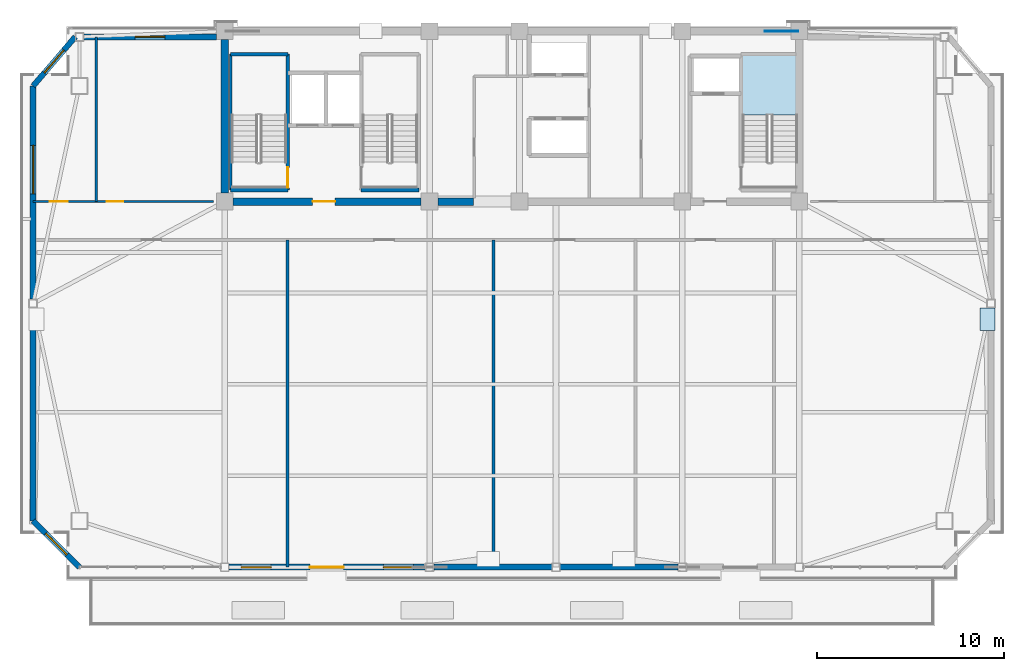
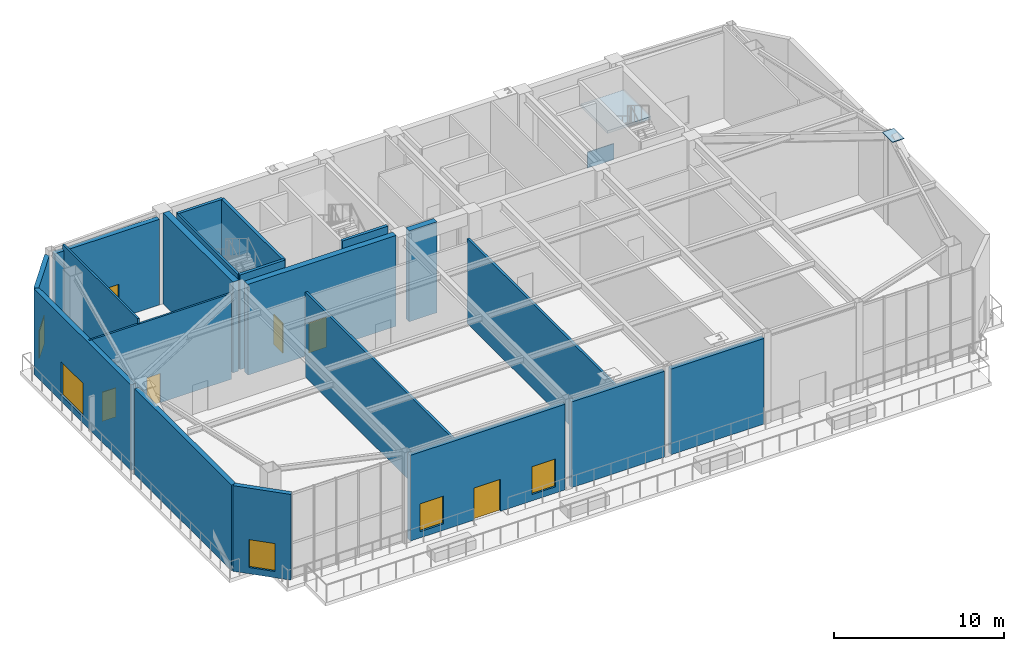
# One storey, part 8 of 15: 20 walls, 6 windows, 5 doors, 2 plates, 1 slab, 11 openings, 1 element without a shape of its own.
"""IFC4 building model written with IfcOpenShell, lengths in metres."""

import ifcopenshell
import ifcopenshell.guid

model = None  # the IFC model being written
_history = None  # IfcOwnerHistory: only IFC2X3 demands one
_inside = {}  # id of a spatial element -> (the spatial element, [elements in it])
_under = {}  # id of a project, library or spatial element -> (it, [spatial elements below it])
_declared = {}  # id of a project -> (the project, [libraries it declares])
_typed = {}  # id of a type object -> (the type object, [elements of that type])
_made_of = {}  # id of a material, layer set ... -> (it, [elements and type objects made of it])


def new_model(schema):
    """Start an empty IFC model of exactly this schema.

    Asked for "IFC4X3", IfcOpenShell would pick the latest addendum, in which some entities
    have other attributes; the version numbers below select the first issue.
    IFC2X3 requires an IfcOwnerHistory on every rooted entity: one is made here for all.
    """
    global model, _history
    if schema == "IFC4X3":
        model = ifcopenshell.file(schema_version=(4, 3, 0, 0))
    else:
        model = ifcopenshell.file(schema=schema)
    _inside.clear()
    _under.clear()
    _declared.clear()
    _typed.clear()
    _made_of.clear()
    _history = None
    if model.schema == "IFC2X3":
        org = make("IfcOrganization", Name="unknown")
        user = make(
            "IfcPersonAndOrganization",
            ThePerson=make("IfcPerson", FamilyName="unknown"),
            TheOrganization=org,
        )
        app = make(
            "IfcApplication",
            ApplicationDeveloper=org,
            Version="unknown",
            ApplicationFullName="unknown",
            ApplicationIdentifier="unknown",
        )
        _history = make(
            "IfcOwnerHistory",
            OwningUser=user,
            OwningApplication=app,
            ChangeAction="ADDED",
            CreationDate=0,
        )
    return model


def make(cls, **values):
    """One entity of the class cls with the attributes given. An attribute that is None is left unset."""
    return model.create_entity(
        cls, **{name: value for name, value in values.items() if value is not None}
    )


def rooted(cls, **values):
    """An entity with a GlobalId (a new one), such as an element, a storey or a relation."""
    return make(cls, GlobalId=ifcopenshell.guid.new(), OwnerHistory=_history, **values)


def si_unit(unit_type, name, prefix=None):
    """IfcSIUnit, for example si_unit("LENGTHUNIT", "METRE", prefix="MILLI")."""
    return make("IfcSIUnit", UnitType=unit_type, Prefix=prefix, Name=name)


def assignment(units):
    """IfcUnitAssignment: the units of a project."""
    return None if units is None else make("IfcUnitAssignment", Units=units)


def point(xyz):
    """IfcCartesianPoint."""
    return None if xyz is None else make("IfcCartesianPoint", Coordinates=xyz)


def direction(xyz):
    """IfcDirection."""
    return None if xyz is None else make("IfcDirection", DirectionRatios=xyz)


def frame(location, z_axis=None, x_axis=None):
    """IfcAxis2Placement3D, a coordinate frame: its origin and axes. An axis left out is left unset."""
    return make(
        "IfcAxis2Placement3D",
        Location=point(location),
        Axis=direction(z_axis),
        RefDirection=direction(x_axis),
    )


def frame_2d(location, x_axis=None):
    """IfcAxis2Placement2D, a coordinate frame in the plane: its origin and x axis."""
    return make(
        "IfcAxis2Placement2D", Location=point(location), RefDirection=direction(x_axis)
    )


def origin():
    """The frame at (0, 0, 0) with its axes left unset."""
    return frame((0.0, 0.0, 0.0))


def origin_2d():
    """The frame at (0, 0) in the plane with its x axis left unset."""
    return frame_2d((0.0, 0.0))


def place(relative_to, where):
    """IfcLocalPlacement: puts the frame where relative to a parent placement (None: the world)."""
    return make(
        "IfcLocalPlacement", PlacementRelTo=relative_to, RelativePlacement=where
    )


def context(
    kind, dimensions, precision=None, world=None, true_north=None, identifier=None
):
    """IfcGeometricRepresentationContext, for example the 3D "Model" context."""
    return make(
        "IfcGeometricRepresentationContext",
        ContextIdentifier=identifier,
        ContextType=kind,
        CoordinateSpaceDimension=dimensions,
        Precision=precision,
        WorldCoordinateSystem=world,
        TrueNorth=true_north,
    )


def subcontext(parent, identifier, kind, view, scale=None):
    """IfcGeometricRepresentationSubContext, for example "Body" below "Model"."""
    return make(
        "IfcGeometricRepresentationSubContext",
        ContextIdentifier=identifier,
        ContextType=kind,
        ParentContext=parent,
        TargetScale=scale,
        TargetView=view,
    )


def project(units=None, contexts=None):
    """IfcProject with its units and contexts."""
    return rooted(
        "IfcProject",
        Name="project",
        RepresentationContexts=contexts,
        UnitsInContext=assignment(units),
    )


def spatial(cls, under=None, at=None, **own):
    """A site, building, storey or space (cls), placed at a placement, below another one or the project."""
    s = rooted(cls, ObjectPlacement=at, **own)
    if under is not None:
        _under.setdefault(under.id(), (under, []))[1].append(s)
    return s


def polyline(points):
    """IfcPolyline through the points."""
    return make("IfcPolyline", Points=[point(p) for p in points])


def profile(cls, at=None, kind="AREA", **sizes):
    """A parametric profile (cls). Its sizes go by their IFC names, for example OverallWidth=200.0."""
    return make(cls, ProfileType=kind, Position=at, **sizes)


def rectangle(**sizes):
    """IfcRectangleProfileDef."""
    return profile("IfcRectangleProfileDef", **sizes)


def outline(outer, holes=None, kind="AREA"):
    """IfcArbitraryClosedProfileDef: a profile drawn as a closed curve; with holes, ...WithVoids."""
    if holes is None:
        return make("IfcArbitraryClosedProfileDef", ProfileType=kind, OuterCurve=outer)
    return make(
        "IfcArbitraryProfileDefWithVoids",
        ProfileType=kind,
        OuterCurve=outer,
        InnerCurves=holes,
    )


def extrude(swept, where, along, depth):
    """IfcExtrudedAreaSolid: the profile swept, set in the frame where, extruded along a direction by depth."""
    return make(
        "IfcExtrudedAreaSolid",
        SweptArea=swept,
        Position=where,
        ExtrudedDirection=direction(along),
        Depth=depth,
    )


def shape(context_of_items, identifier, shape_type, items):
    """IfcShapeRepresentation: the items that make up one representation, for example the "Body"."""
    return make(
        "IfcShapeRepresentation",
        ContextOfItems=context_of_items,
        RepresentationIdentifier=identifier,
        RepresentationType=shape_type,
        Items=items,
    )


def source(mapping_origin, context_of_items, identifier, shape_type, items):
    """IfcRepresentationMap: a shape defined once, which mapped items show again and again."""
    return make(
        "IfcRepresentationMap",
        MappingOrigin=mapping_origin,
        MappedRepresentation=shape(context_of_items, identifier, shape_type, items),
    )


def transform(
    local_origin,
    x_axis=None,
    y_axis=None,
    z_axis=None,
    scale=None,
    scale2=None,
    scale3=None,
    uniform=True,
):
    """IfcCartesianTransformationOperator3D, or its non-uniform kind. x_axis, y_axis, z_axis: its Axis1, 2, 3."""
    if uniform:
        return make(
            "IfcCartesianTransformationOperator3D",
            Axis1=direction(x_axis),
            Axis2=direction(y_axis),
            LocalOrigin=point(local_origin),
            Scale=scale,
            Axis3=direction(z_axis),
        )
    return make(
        "IfcCartesianTransformationOperator3DnonUniform",
        Axis1=direction(x_axis),
        Axis2=direction(y_axis),
        LocalOrigin=point(local_origin),
        Scale=scale,
        Axis3=direction(z_axis),
        Scale2=scale2,
        Scale3=scale3,
    )


def mapped(mapping_source, mapping_target):
    """IfcMappedItem: shows the shape of a source again, moved by a transform."""
    return make(
        "IfcMappedItem", MappingSource=mapping_source, MappingTarget=mapping_target
    )


def material(Name=None, Category=None):
    """IfcMaterial."""
    return make("IfcMaterial", Name=Name, Category=Category)


def layer(
    of_material, thickness, ventilated=None, Name=None, Category=None, Priority=None
):
    """IfcMaterialLayer: one layer of a wall or slab, of a material (None: an air gap)."""
    return make(
        "IfcMaterialLayer",
        Material=of_material,
        LayerThickness=thickness,
        IsVentilated=ventilated,
        Name=Name,
        Category=Category,
        Priority=Priority,
    )


def layer_set(layers, Name=None):
    """IfcMaterialLayerSet."""
    return make("IfcMaterialLayerSet", MaterialLayers=layers, LayerSetName=Name)


def made_of(thing, what):
    """Note that an element or type object is made of a material, layer set ...; save() writes the relation."""
    if what is not None:
        _made_of.setdefault(what.id(), (what, []))[1].append(thing)
    return thing


def type_object(cls, material=None, **own):
    """A type object (cls), such as IfcWallType, which elements share."""
    return made_of(rooted(cls, **own), material)


def element(
    cls,
    number,
    at=None,
    inside=None,
    cuts=None,
    type_object=None,
    material=None,
    context=None,
    identifier="Body",
    shape_type=None,
    held_by="IfcProductDefinitionShape",
    body=None,
    shapes=None,
    **own,
):
    """One element of the class cls, such as IfcWall. Its Tag is "e" and its number.

    at: its placement. inside: the storey or other place that contains it. cuts: it is an
    opening in that element (IfcRelVoidsElement). A single representation is given by context,
    identifier, shape_type and body (its items); several are given by shapes. held_by: the class
    of the entity that holds the representations. save() writes the other relations.
    """
    e = rooted(cls, Tag="e%d" % number, ObjectPlacement=at, **own)
    if body is not None:
        shapes = [shape(context, identifier, shape_type, body)]
    if shapes is not None:
        e.Representation = make(held_by, Representations=shapes)
    if inside is not None:
        _inside.setdefault(inside.id(), (inside, []))[1].append(e)
    if cuts is not None:
        rooted(
            "IfcRelVoidsElement", RelatingBuildingElement=cuts, RelatedOpeningElement=e
        )
    if type_object is not None:
        _typed.setdefault(type_object.id(), (type_object, []))[1].append(e)
    return made_of(e, material)


def fill(opening, filler):
    """IfcRelFillsElement: the door or window that sits in an opening."""
    return rooted(
        "IfcRelFillsElement",
        RelatingOpeningElement=opening,
        RelatedBuildingElement=filler,
    )


def aggregate(whole, parts):
    """IfcRelAggregates: a whole, such as a stair, and the parts it consists of."""
    return rooted("IfcRelAggregates", RelatingObject=whole, RelatedObjects=parts)


def save(model, path):
    """Write the relations noted so far, then the file.

    IfcRelAggregates (storeys below a building ...), IfcRelContainedInSpatialStructure (elements
    in a storey), IfcRelDefinesByType, IfcRelAssociatesMaterial and IfcRelDeclares: one each for
    every whole, place, type object, material and project.
    """
    for whole, parts in _under.values():
        aggregate(whole, parts)
    for where, things in _inside.values():
        rooted(
            "IfcRelContainedInSpatialStructure",
            RelatedElements=things,
            RelatingStructure=where,
        )
    for kind, things in _typed.values():
        rooted("IfcRelDefinesByType", RelatedObjects=things, RelatingType=kind)
    for what, things in _made_of.values():
        rooted("IfcRelAssociatesMaterial", RelatedObjects=things, RelatingMaterial=what)
    for by, libraries in _declared.values():
        rooted("IfcRelDeclares", RelatingContext=by, RelatedDefinitions=libraries)
    model.write(path)


model = new_model("IFC4")

# Units and contexts
model_context = context("Model", 3, precision=1e-05, world=origin(), true_north=direction((0.0, 1.0)))
body_context = subcontext(model_context, "Body", "Model", "MODEL_VIEW")
ifc_project = project(units=[si_unit("LENGTHUNIT", "METRE"), si_unit("AREAUNIT", "SQUARE_METRE"), si_unit("VOLUMEUNIT", "CUBIC_METRE"), si_unit("PLANEANGLEUNIT", "RADIAN"), si_unit("MASSUNIT", "GRAM", prefix="KILO")], contexts=[model_context])

# Site, building, storey
site_placement = place(None, origin())
site = spatial("IfcSite", under=ifc_project, at=site_placement, CompositionType="ELEMENT")
building_placement = place(site_placement, origin())
building = spatial("IfcBuilding", under=site, at=building_placement, Name="Giltprow Tower", CompositionType="ELEMENT")
storey_placement = place(building_placement, frame((0.0, 0.0, 279.10009765625)))
storey = spatial("IfcBuildingStorey", under=building, at=storey_placement, Name="L72", CompositionType="ELEMENT", Elevation=279.10009765625)

# Stair, slab
ifc_material_1 = material(Name="Concrete C40", Category="concrete")
stair_type = type_object("IfcStairType", Name="STR-ST-3", PredefinedType="HALF_TURN_STAIR", material=ifc_material_1)
stair_placement = place(storey_placement, origin())
stair = element("IfcStair", 1, at=stair_placement, inside=storey, type_object=stair_type, Name="L72 Core Exit Stair ST-3", PredefinedType="HALF_TURN_STAIR")
ifc_layer_1 = layer(ifc_material_1, 0.196044921875, Name="Concrete C40")
ifc_layer_set_1 = layer_set([ifc_layer_1], Name="Concrete C40")
slab_type = type_object("IfcSlabType", Name="SLD-ST-3", PredefinedType="LANDING", material=ifc_layer_set_1)
slab_placement = place(storey_placement, frame((0.0, 0.0, 4.90380859375)))
slab = element("IfcSlab", 2, at=slab_placement, type_object=slab_type, Name="ST-3 landing 3", PredefinedType="LANDING", context=body_context, shape_type="SweptSolid", body=[
    extrude(outline(polyline([(50.4599609375, 42.070068359375), (50.4599609375, 45.25), (47.5, 45.25), (47.5, 42.070068359375), (50.4599609375, 42.070068359375)])), origin(), (0.0, 0.0, 1.0), 0.196044921875),
])
aggregate(stair, [slab])

# Plates
ifc_material_2 = material(Name="Structural steel Q420GJC", Category="steel")
plate_type_1 = type_object("IfcPlateType", Name="PLT-NODE-MBN1", PredefinedType="USERDEFINED", material=ifc_material_2)
shared_shape_1 = source(origin(), body_context, "Body", "SweptSolid", [
    extrude(rectangle(XDim=1.800048828125, YDim=0.050048828125, at=origin_2d()), origin(), (0.0, 0.0, 1.0), 1.14990234375),
])
plate_1_placement = place(storey_placement, frame((49.60009765625, 46.550048828125, -0.715087890625), z_axis=(0.0, 0.0, 1.0), x_axis=(1.0, 0.0, 0.0)))
element("IfcPlate", 3, at=plate_1_placement, inside=storey, type_object=plate_type_1, Name="Mega-Brace Node L72-N-RA", ObjectType="GUSSET", PredefinedType="USERDEFINED", context=body_context, shape_type="MappedRepresentation", body=[
    mapped(shared_shape_1, transform((0.0, 0.0, 0.0), x_axis=(1.0, 0.0, 0.0), y_axis=(0.0, 1.0, 0.0), z_axis=(0.0, 0.0, 1.0), scale=1.0)),
])
plate_type_2 = type_object("IfcPlateType", Name="PLT-CAP-SEAL", PredefinedType="USERDEFINED", material=ifc_material_2)
shared_shape_2 = source(origin(), body_context, "Body", "SweptSolid", [
    extrude(rectangle(XDim=1.199951171875, YDim=0.800048828125, at=origin_2d()), origin(), (0.0, 0.0, 1.0), 0.034912109375),
])
plate_2_placement = place(storey_placement, frame((60.59912109375, 31.156005859375, 6.7822265625), z_axis=(0.0, 0.0, 1.0), x_axis=(0.0, 1.0, 0.0)))
element("IfcPlate", 4, at=plate_2_placement, inside=storey, type_object=plate_type_2, Name="Mega-Brace Node L72-E-DB", ObjectType="SPLICE", PredefinedType="USERDEFINED", context=body_context, shape_type="MappedRepresentation", body=[
    mapped(shared_shape_2, transform((0.0, 0.0, 0.0), x_axis=(1.0, 0.0, 0.0), y_axis=(0.0, 1.0, 0.0), z_axis=(0.0, 0.0, 1.0), scale=1.0)),
])

# Wall, opening, window
ifc_material_3 = material(Name="Precast concrete C40", Category="concrete")
ifc_layer_2 = layer(ifc_material_3, 0.300048828125, Name="Precast concrete C40")
ifc_layer_set_2 = layer_set([ifc_layer_2], Name="Precast concrete C40")
wall_type_1 = type_object("IfcWallType", Name="EW-NOTCH-CHAMFER-300", PredefinedType="SOLIDWALL", material=ifc_layer_set_2)
wall_1_placement = place(storey_placement, frame((9.60888671875, 20.385009765625, 0.0), z_axis=(0.0, 0.0, 1.0), x_axis=(0.707106781187, -0.707106781187, 0.0)))
wall_1 = element("IfcWall", 5, at=wall_1_placement, inside=storey, type_object=wall_type_1, Name="L72 Corner Notch Wall SW", PredefinedType="SOLIDWALL", context=body_context, shape_type="SweptSolid", body=[
    extrude(rectangle(XDim=3.503173828125, YDim=0.300048828125, at=frame_2d((1.75146484375, 0.0))), origin(), (0.0, 0.0, 1.0), 6.14990234375),
])
opening_1_placement = place(wall_1_placement, frame((0.951904296875, 0.0, 0.449951171875)))
opening_1 = element("IfcOpeningElement", 6, at=opening_1_placement, cuts=wall_1, Name="Opening WN17", PredefinedType="OPENING", context=body_context, shape_type="SweptSolid", body=[
    extrude(rectangle(XDim=1.60009765625, YDim=2.0, at=frame_2d((0.800048828125, 1.0))), frame((0.0, 0.159912109375, 0.0), z_axis=(0.0, -1.0, 0.0), x_axis=(1.0, 0.0, 0.0)), (0.0, 0.0, 1.0), 0.320068359375),
])
ifc_material_4 = material(Name="Insulated glass", Category="glass")
window_type_1 = type_object("IfcWindowType", Name="WN-COR-1600x2000", PartitioningType="SINGLE_PANEL", PredefinedType="WINDOW", material=ifc_material_4)
shared_shape_3 = source(origin(), body_context, "Body", "SweptSolid", [
    extrude(rectangle(XDim=1.60009765625, YDim=2.0, at=frame_2d((0.800048828125, 1.0))), frame((0.0, 0.030029296875, 0.0), z_axis=(0.0, -1.0, 0.0), x_axis=(1.0, 0.0, 0.0)), (0.0, 0.0, 1.0), 0.06005859375),
])
window_1_placement = place(opening_1_placement, origin())
window_1 = element("IfcWindow", 7, at=window_1_placement, inside=storey, type_object=window_type_1, Name="L72 Corner Notch Window SW", OverallHeight=2.0, OverallWidth=1.60009765625, PartitioningType="SINGLE_PANEL", PredefinedType="WINDOW", context=body_context, shape_type="MappedRepresentation", body=[
    mapped(shared_shape_3, transform((0.0, 0.0, 0.0), x_axis=(1.0, 0.0, 0.0), y_axis=(0.0, 1.0, 0.0), z_axis=(0.0, 0.0, 1.0), scale=1.0)),
])
fill(opening_1, window_1)

wall_2_placement = place(storey_placement, frame((11.861083984375, 46.25, 0.0), z_axis=(0.0, 0.0, 1.0), x_axis=(-0.650739088715, -0.759301414735, 0.0)))
wall_2 = element("IfcWall", 8, at=wall_2_placement, inside=storey, type_object=wall_type_1, Name="L72 Corner Notch Wall NW", PredefinedType="SOLIDWALL", context=body_context, shape_type="SweptSolid", body=[
    extrude(rectangle(XDim=3.4609375, YDim=0.300048828125, at=frame_2d((1.73046875, 0.0))), origin(), (0.0, 0.0, 1.0), 6.14990234375),
])
opening_2_placement = place(wall_2_placement, frame((0.929931640625, 0.0, 0.449951171875)))
opening_2 = element("IfcOpeningElement", 9, at=opening_2_placement, cuts=wall_2, Name="Opening WN17", PredefinedType="OPENING", context=body_context, shape_type="SweptSolid", body=[
    extrude(rectangle(XDim=1.60009765625, YDim=2.0, at=frame_2d((0.800048828125, 1.0))), frame((0.0, 0.159912109375, 0.0), z_axis=(0.0, -1.0, 0.0), x_axis=(1.0, 0.0, 0.0)), (0.0, 0.0, 1.0), 0.320068359375),
])
window_2_placement = place(opening_2_placement, origin())
window_2 = element("IfcWindow", 10, at=window_2_placement, inside=storey, type_object=window_type_1, Name="L72 Corner Notch Window NW", OverallHeight=2.0, OverallWidth=1.60009765625, PartitioningType="SINGLE_PANEL", PredefinedType="WINDOW", context=body_context, shape_type="MappedRepresentation", body=[
    mapped(shared_shape_3, transform((0.0, 0.0, 0.0), x_axis=(1.0, 0.0, 0.0), y_axis=(0.0, 1.0, 0.0), z_axis=(0.0, 0.0, 1.0), scale=1.0)),
])
fill(opening_2, window_2)

# Wall, openings, door, windows
ifc_layer_3 = layer(ifc_material_3, 0.320068359375, Name="Precast concrete C40")
ifc_layer_set_3 = layer_set([ifc_layer_3], Name="Precast concrete C40")
wall_type_2 = type_object("IfcWallType", Name="EW-TOW-STONE-320", PredefinedType="SOLIDWALL", material=ifc_layer_set_3)
wall_3_placement = place(storey_placement, frame((20.074951171875, 17.907958984375, 0.0), z_axis=(0.0, 0.0, 1.0), x_axis=(1.0, 0.0, 0.0)))
wall_3 = element("IfcWall", 11, at=wall_3_placement, inside=storey, type_object=wall_type_2, Name="L72 South Expressed Frame Wall 2", PredefinedType="SOLIDWALL", context=body_context, shape_type="SweptSolid", body=[
    extrude(rectangle(XDim=10.5, YDim=0.320068359375, at=frame_2d((5.25, 0.0))), origin(), (0.0, 0.0, 1.0), 6.14990234375),
])
opening_3_placement = place(wall_3_placement, frame((4.324951171875, 0.0, 0.0)))
opening_3 = element("IfcOpeningElement", 12, at=opening_3_placement, cuts=wall_3, Name="Opening ED15", PredefinedType="OPENING", context=body_context, shape_type="SweptSolid", body=[
    extrude(rectangle(XDim=1.800048828125, YDim=2.300048828125, at=frame_2d((0.89990234375, 1.14990234375))), frame((0.0, 0.169921875, 0.0), z_axis=(0.0, -1.0, 0.0), x_axis=(1.0, 0.0, 0.0)), (0.0, 0.0, 1.0), 0.340087890625),
])
opening_4_placement = place(wall_3_placement, frame((0.64990234375, 0.0, 0.449951171875)))
opening_4 = element("IfcOpeningElement", 13, at=opening_4_placement, cuts=wall_3, Name="Opening WN17", PredefinedType="OPENING", context=body_context, shape_type="SweptSolid", body=[
    extrude(rectangle(XDim=1.60009765625, YDim=2.0, at=frame_2d((0.800048828125, 1.0))), frame((0.0, 0.169921875, 0.0), z_axis=(0.0, -1.0, 0.0), x_axis=(1.0, 0.0, 0.0)), (0.0, 0.0, 1.0), 0.340087890625),
])
opening_5_placement = place(wall_3_placement, frame((8.25, 0.0, 0.449951171875)))
opening_5 = element("IfcOpeningElement", 14, at=opening_5_placement, cuts=wall_3, Name="Opening WN17", PredefinedType="OPENING", context=body_context, shape_type="SweptSolid", body=[
    extrude(rectangle(XDim=1.60009765625, YDim=2.0, at=frame_2d((0.800048828125, 1.0))), frame((0.0, 0.169921875, 0.0), z_axis=(0.0, -1.0, 0.0), x_axis=(1.0, 0.0, 0.0)), (0.0, 0.0, 1.0), 0.340087890625),
])
ifc_material_5 = material(Name="Anodized bronze and glass", Category="glass")
door_type_1 = type_object("IfcDoorType", Name="DR-TERR-SWING-1800", OperationType="DOUBLE_SWING_LEFT", PredefinedType="DOOR", material=ifc_material_5)
shared_shape_4 = source(origin(), body_context, "Body", "SweptSolid", [
    extrude(rectangle(XDim=1.800048828125, YDim=2.300048828125, at=frame_2d((0.89990234375, 1.14990234375))), frame((0.0, 0.02490234375, 0.0), z_axis=(0.0, -1.0, 0.0), x_axis=(1.0, 0.0, 0.0)), (0.0, 0.0, 1.0), 0.050048828125),
])
door_1_placement = place(opening_3_placement, origin())
door_1 = element("IfcDoor", 15, at=door_1_placement, inside=storey, type_object=door_type_1, Name="L72 Sky Garden Terrace Door 1", OperationType="DOUBLE_SWING_LEFT", OverallHeight=2.300048828125, OverallWidth=1.800048828125, PredefinedType="DOOR", context=body_context, shape_type="MappedRepresentation", body=[
    mapped(shared_shape_4, transform((0.0, 0.0, 0.0), x_axis=(1.0, 0.0, 0.0), y_axis=(0.0, 1.0, 0.0), z_axis=(0.0, 0.0, 1.0), scale=1.0)),
])
fill(opening_3, door_1)
window_3_placement = place(opening_4_placement, origin())
window_3 = element("IfcWindow", 16, at=window_3_placement, inside=storey, type_object=window_type_1, Name="L72 Sky Garden Window 1", OverallHeight=2.0, OverallWidth=1.60009765625, PartitioningType="SINGLE_PANEL", PredefinedType="WINDOW", context=body_context, shape_type="MappedRepresentation", body=[
    mapped(shared_shape_3, transform((0.0, 0.0, 0.0), x_axis=(1.0, 0.0, 0.0), y_axis=(0.0, 1.0, 0.0), z_axis=(0.0, 0.0, 1.0), scale=1.0)),
])
fill(opening_4, window_3)
window_4_placement = place(opening_5_placement, origin())
window_4 = element("IfcWindow", 17, at=window_4_placement, inside=storey, type_object=window_type_1, Name="L72 Sky Garden Window 2", OverallHeight=2.0, OverallWidth=1.60009765625, PartitioningType="SINGLE_PANEL", PredefinedType="WINDOW", context=body_context, shape_type="MappedRepresentation", body=[
    mapped(shared_shape_3, transform((0.0, 0.0, 0.0), x_axis=(1.0, 0.0, 0.0), y_axis=(0.0, 1.0, 0.0), z_axis=(0.0, 0.0, 1.0), scale=1.0)),
])
fill(opening_5, window_4)

# Walls
for number, where, z_axis, x_axis, name in (
    (18, (31.02490234375, 17.907958984375, 0.0), (0.0, 0.0, 1.0), (1.0, 0.0, 0.0), "L72 South Expressed Frame Wall 3"),
    (19, (37.77490234375, 17.907958984375, 0.0), (0.0, 0.0, 1.0), (1.0, 0.0, 0.0), "L72 South Expressed Frame Wall 4"),
):
    element("IfcWall", number, at=place(storey_placement, frame(where, z_axis=z_axis, x_axis=x_axis)), inside=storey, type_object=wall_type_2, Name=name, PredefinedType="SOLIDWALL", context=body_context, shape_type="SweptSolid", body=[
        extrude(rectangle(XDim=6.300048828125, YDim=0.320068359375, at=frame_2d((3.14990234375, 0.0))), origin(), (0.0, 0.0, 1.0), 6.14990234375),
    ])
wall_4_placement = place(storey_placement, frame((9.60888671875, 20.385009765625, 0.0), z_axis=(0.0, 0.0, 1.0), x_axis=(0.0, 1.0, 0.0)))
element("IfcWall", 20, at=wall_4_placement, inside=storey, type_object=wall_type_2, Name="L72 W Wing Masonry Wall 1", PredefinedType="SOLIDWALL", context=body_context, shape_type="SweptSolid", body=[
    extrude(rectangle(XDim=11.39404296875, YDim=0.320068359375, at=frame_2d((5.697021484375, 0.0))), origin(), (0.0, 0.0, 1.0), 6.14990234375),
])

# Wall, opening, window
wall_5_placement = place(storey_placement, frame((9.60888671875, 32.22900390625, 0.0), z_axis=(0.0, 0.0, 1.0), x_axis=(0.0, 1.0, 0.0)))
wall_5 = element("IfcWall", 21, at=wall_5_placement, inside=storey, type_object=wall_type_2, Name="L72 W Wing Masonry Wall 2", PredefinedType="SOLIDWALL", context=body_context, shape_type="SweptSolid", body=[
    extrude(rectangle(XDim=11.39306640625, YDim=0.320068359375, at=frame_2d((5.696533203125, 0.0))), origin(), (0.0, 0.0, 1.0), 6.14990234375),
])
opening_6_placement = place(wall_5_placement, frame((5.6259765625, 0.0, 0.449951171875)))
opening_6 = element("IfcOpeningElement", 22, at=opening_6_placement, cuts=wall_5, Name="Opening WN19", PredefinedType="OPENING", context=body_context, shape_type="SweptSolid", body=[
    extrude(rectangle(XDim=2.60009765625, YDim=2.39990234375, at=frame_2d((1.300048828125, 1.199951171875))), frame((0.0, 0.169921875, 0.0), z_axis=(0.0, -1.0, 0.0), x_axis=(1.0, 0.0, 0.0)), (0.0, 0.0, 1.0), 0.340087890625),
])
window_type_2 = type_object("IfcWindowType", Name="WN-OBS-2600x2400", PartitioningType="DOUBLE_PANEL_VERTICAL", PredefinedType="WINDOW", material=ifc_material_4)
shared_shape_5 = source(origin(), body_context, "Body", "SweptSolid", [
    extrude(rectangle(XDim=2.60009765625, YDim=2.39990234375, at=frame_2d((1.300048828125, 1.199951171875))), frame((0.0, 0.030029296875, 0.0), z_axis=(0.0, -1.0, 0.0), x_axis=(1.0, 0.0, 0.0)), (0.0, 0.0, 1.0), 0.06005859375),
])
window_5_placement = place(opening_6_placement, origin())
window_5 = element("IfcWindow", 23, at=window_5_placement, inside=storey, type_object=window_type_2, Name="L72 W Wing Window 2-1", OverallHeight=2.39990234375, OverallWidth=2.60009765625, PartitioningType="SINGLE_PANEL", PredefinedType="WINDOW", context=body_context, shape_type="MappedRepresentation", body=[
    mapped(shared_shape_5, transform((0.0, 0.0, 0.0), x_axis=(1.0, 0.0, 0.0), y_axis=(0.0, 1.0, 0.0), z_axis=(0.0, 0.0, 1.0), scale=1.0)),
])
fill(opening_6, window_5)

wall_6_placement = place(storey_placement, frame((12.31103515625, 46.25, 0.0), z_axis=(0.0, 0.0, 1.0), x_axis=(1.0, 0.0, 0.0)))
wall_6 = element("IfcWall", 24, at=wall_6_placement, inside=storey, type_object=wall_type_2, Name="L72 North-West Wing Wall", PredefinedType="SOLIDWALL", context=body_context, shape_type="SweptSolid", body=[
    extrude(rectangle(XDim=7.0888671875, YDim=0.320068359375, at=frame_2d((3.54443359375, 0.0))), origin(), (0.0, 0.0, 1.0), 6.14990234375),
])
opening_7_placement = place(wall_6_placement, frame((2.743896484375, 0.0, 0.449951171875)))
opening_7 = element("IfcOpeningElement", 25, at=opening_7_placement, cuts=wall_6, Name="Opening WN17", PredefinedType="OPENING", context=body_context, shape_type="SweptSolid", body=[
    extrude(rectangle(XDim=1.60009765625, YDim=2.0, at=frame_2d((0.800048828125, 1.0))), frame((0.0, 0.169921875, 0.0), z_axis=(0.0, -1.0, 0.0), x_axis=(1.0, 0.0, 0.0)), (0.0, 0.0, 1.0), 0.340087890625),
])
window_6_placement = place(opening_7_placement, origin())
window_6 = element("IfcWindow", 26, at=window_6_placement, inside=storey, type_object=window_type_1, Name="L72 North-West Window", OverallHeight=2.0, OverallWidth=1.60009765625, PartitioningType="SINGLE_PANEL", PredefinedType="WINDOW", context=body_context, shape_type="MappedRepresentation", body=[
    mapped(shared_shape_3, transform((0.0, 0.0, 0.0), x_axis=(1.0, 0.0, 0.0), y_axis=(0.0, 1.0, 0.0), z_axis=(0.0, 0.0, 1.0), scale=1.0)),
])
fill(opening_7, window_6)

# Walls
ifc_material_6 = material(Name="Gypsum stud partition", Category="gypsum")
ifc_layer_4 = layer(ifc_material_6, 0.159912109375, Name="Gypsum stud partition")
ifc_layer_set_4 = layer_set([ifc_layer_4], Name="Gypsum stud partition")
wall_type_3 = type_object("IfcWallType", Name="IW-DEMISE-160", PredefinedType="PARTITIONING", material=ifc_layer_set_4)
for number, where, z_axis, x_axis, name in (
    (27, (23.199951171875, 17.907958984375, 0.0), (0.0, 0.0, 1.0), (0.0, 1.0, 0.0), "L72 Sky Lobby Partition 1"),
    (28, (34.199951171875, 17.907958984375, 0.0), (0.0, 0.0, 1.0), (0.0, 1.0, 0.0), "L72 Sky Lobby Partition 2"),
):
    element("IfcWall", number, at=place(storey_placement, frame(where, z_axis=z_axis, x_axis=x_axis)), inside=storey, type_object=wall_type_3, Name=name, PredefinedType="PARTITIONING", context=body_context, shape_type="SweptSolid", body=[
        extrude(rectangle(XDim=17.491943359375, YDim=0.159912109375, at=frame_2d((8.74609375, 0.0))), origin(), (0.0, 0.0, 1.0), 6.10498046875),
    ])
ifc_material_7 = material(Name="Concrete C45", Category="concrete")
ifc_layer_5 = layer(ifc_material_7, 0.139892578125, Name="Concrete C45")
ifc_layer_set_5 = layer_set([ifc_layer_5], Name="Concrete C45")
wall_type_4 = type_object("IfcWallType", Name="IW-STAIR-140", PredefinedType="SOLIDWALL", material=ifc_layer_set_5)
wall_7_placement = place(storey_placement, frame((20.169921875, 38.070068359375, 0.0), z_axis=(0.0, 0.0, 1.0), x_axis=(0.0, 1.0, 0.0)))
element("IfcWall", 29, at=wall_7_placement, inside=storey, type_object=wall_type_4, Name="L72 Stair ST-1 West Bearing Wall", PredefinedType="SOLIDWALL", context=body_context, shape_type="SweptSolid", body=[
    extrude(rectangle(XDim=7.25, YDim=0.139892578125, at=frame_2d((3.625, 0.0))), origin(), (0.0, 0.0, 1.0), 6.7998046875),
])

# Wall, opening, door
ifc_layer_6 = layer(ifc_material_1, 0.199951171875, Name="Concrete C40")
ifc_layer_set_6 = layer_set([ifc_layer_6], Name="Concrete C40")
wall_type_5 = type_object("IfcWallType", Name="IW-STAIR-200", PredefinedType="SOLIDWALL", material=ifc_layer_set_6)
wall_8_placement = place(storey_placement, frame((23.219970703125, 38.070068359375, 0.0), z_axis=(0.0, 0.0, 1.0), x_axis=(0.0, 1.0, 0.0)))
wall_8 = element("IfcWall", 30, at=wall_8_placement, inside=storey, type_object=wall_type_5, Name="L72 Stair ST-1 East Bearing Wall", PredefinedType="SOLIDWALL", context=body_context, shape_type="SweptSolid", body=[
    extrude(rectangle(XDim=7.25, YDim=0.199951171875, at=frame_2d((3.625, 0.0))), origin(), (0.0, 0.0, 1.0), 6.7998046875),
])
opening_8_placement = place(wall_8_placement, frame((0.110107421875, 0.0, 0.0)))
opening_8 = element("IfcOpeningElement", 31, at=opening_8_placement, cuts=wall_8, Name="Opening ID33", PredefinedType="OPENING", context=body_context, shape_type="SweptSolid", body=[
    extrude(rectangle(XDim=1.10009765625, YDim=2.14990234375, at=frame_2d((0.550048828125, 1.074951171875))), frame((0.0, 0.10986328125, 0.0), z_axis=(0.0, -1.0, 0.0), x_axis=(1.0, 0.0, 0.0)), (0.0, 0.0, 1.0), 0.219970703125),
])
ifc_material_8 = material(Name="Steel fire leaf", Category="steel")
door_type_2 = type_object("IfcDoorType", Name="DR-STAIR-1100", OperationType="SINGLE_SWING_LEFT", PredefinedType="DOOR", material=ifc_material_8)
shared_shape_6 = source(origin(), body_context, "Body", "SweptSolid", [
    extrude(rectangle(XDim=1.10009765625, YDim=2.14990234375, at=frame_2d((0.550048828125, 1.074951171875))), frame((0.0, 0.02490234375, 0.0), z_axis=(0.0, -1.0, 0.0), x_axis=(1.0, 0.0, 0.0)), (0.0, 0.0, 1.0), 0.050048828125),
])
door_2_placement = place(opening_8_placement, origin())
door_2 = element("IfcDoor", 32, at=door_2_placement, inside=storey, type_object=door_type_2, Name="L72 Stair ST-1 Fire Door", OperationType="SINGLE_SWING_RIGHT", OverallHeight=2.14990234375, OverallWidth=1.10009765625, PredefinedType="DOOR", context=body_context, shape_type="MappedRepresentation", body=[
    mapped(shared_shape_6, transform((0.0, 0.0, 0.0), x_axis=(1.0, 0.0, 0.0), y_axis=(0.0, 1.0, 0.0), z_axis=(0.0, 0.0, 1.0), scale=1.0)),
])
fill(opening_8, door_2)

# Walls
for number, where, z_axis, x_axis, name in (
    (33, (20.169921875, 45.320068359375, 0.0), (0.0, 0.0, 1.0), (1.0, 0.0, 0.0), "L72 Stair ST-1 North Bearing Wall"),
    (34, (20.169921875, 38.070068359375, 0.0), (0.0, 0.0, 1.0), (1.0, 0.0, 0.0), "L72 Stair ST-1 South Bearing Wall"),
):
    element("IfcWall", number, at=place(storey_placement, frame(where, z_axis=z_axis, x_axis=x_axis)), inside=storey, type_object=wall_type_5, Name=name, PredefinedType="SOLIDWALL", context=body_context, shape_type="SweptSolid", body=[
        extrude(rectangle(XDim=3.050048828125, YDim=0.199951171875, at=frame_2d((1.52490234375, 0.0))), origin(), (0.0, 0.0, 1.0), 6.7998046875),
    ])
wall_9_placement = place(storey_placement, frame((27.139892578125, 38.070068359375, 0.0), z_axis=(0.0, 0.0, 1.0), x_axis=(1.0, 0.0, 0.0)))
element("IfcWall", 35, at=wall_9_placement, inside=storey, type_object=wall_type_5, Name="L72 Stair ST-2 South Bearing Wall", PredefinedType="SOLIDWALL", context=body_context, shape_type="SweptSolid", body=[
    extrude(rectangle(XDim=3.080078125, YDim=0.199951171875, at=frame_2d((1.5400390625, 0.0))), origin(), (0.0, 0.0, 1.0), 6.7998046875),
])

# Wall, openings, doors
ifc_material_9 = material(Name="Concrete C30", Category="concrete")
ifc_layer_7 = layer(ifc_material_9, 0.1298828125, Name="Concrete C30")
ifc_layer_set_7 = layer_set([ifc_layer_7], Name="Concrete C30")
wall_type_6 = type_object("IfcWallType", Name="IW-WET-130", PredefinedType="PARTITIONING", material=ifc_layer_set_7)
wall_10_placement = place(storey_placement, frame((9.60888671875, 37.449951171875, 0.0), z_axis=(0.0, 0.0, 1.0), x_axis=(1.0, 0.0, 0.0)))
wall_10 = element("IfcWall", 36, at=wall_10_placement, inside=storey, type_object=wall_type_6, Name="L72 NW Wing South Wall", PredefinedType="PARTITIONING", context=body_context, shape_type="SweptSolid", body=[
    extrude(rectangle(XDim=9.64111328125, YDim=0.1298828125, at=frame_2d((4.820556640625, 0.0))), origin(), (0.0, 0.0, 1.0), 6.15478515625),
])
opening_9_placement = place(wall_10_placement, frame((0.89990234375, 0.0, 0.0)))
opening_9 = element("IfcOpeningElement", 37, at=opening_9_placement, cuts=wall_10, Name="Opening ID11", PredefinedType="OPENING", context=body_context, shape_type="SweptSolid", body=[
    extrude(rectangle(XDim=0.949951171875, YDim=2.10009765625, at=frame_2d((0.47509765625, 1.050048828125))), frame((0.0, 0.074951171875, 0.0), z_axis=(0.0, -1.0, 0.0), x_axis=(1.0, 0.0, 0.0)), (0.0, 0.0, 1.0), 0.14990234375),
])
opening_10_placement = place(wall_10_placement, frame((3.926025390625, 0.0, 0.0)))
opening_10 = element("IfcOpeningElement", 38, at=opening_10_placement, cuts=wall_10, Name="Opening ID15", PredefinedType="OPENING", context=body_context, shape_type="SweptSolid", body=[
    extrude(rectangle(XDim=0.89990234375, YDim=2.10009765625, at=frame_2d((0.449951171875, 1.050048828125))), frame((0.0, 0.074951171875, 0.0), z_axis=(0.0, -1.0, 0.0), x_axis=(1.0, 0.0, 0.0)), (0.0, 0.0, 1.0), 0.14990234375),
])
ifc_material_10 = material(Name="Engineered timber", Category="wood")
door_type_3 = type_object("IfcDoorType", Name="DR-WC-900", OperationType="SINGLE_SWING_LEFT", PredefinedType="DOOR", material=ifc_material_10)
shared_shape_7 = source(origin(), body_context, "Body", "SweptSolid", [
    extrude(rectangle(XDim=0.89990234375, YDim=2.10009765625, at=frame_2d((0.449951171875, 1.050048828125))), frame((0.0, 0.02490234375, 0.0), z_axis=(0.0, -1.0, 0.0), x_axis=(1.0, 0.0, 0.0)), (0.0, 0.0, 1.0), 0.050048828125),
])
door_3_placement = place(opening_10_placement, origin())
door_3 = element("IfcDoor", 39, at=door_3_placement, inside=storey, type_object=door_type_3, Name="L72 NW Washroom Door", OperationType="SINGLE_SWING_RIGHT", OverallHeight=2.10009765625, OverallWidth=0.89990234375, PredefinedType="DOOR", context=body_context, shape_type="MappedRepresentation", body=[
    mapped(shared_shape_7, transform((0.0, 0.0, 0.0), x_axis=(1.0, 0.0, 0.0), y_axis=(0.0, 1.0, 0.0), z_axis=(0.0, 0.0, 1.0), scale=1.0)),
])
fill(opening_10, door_3)
door_type_4 = type_object("IfcDoorType", Name="DR-ROOM-950", OperationType="SINGLE_SWING_RIGHT", PredefinedType="DOOR", material=ifc_material_10)
shared_shape_8 = source(origin(), body_context, "Body", "SweptSolid", [
    extrude(rectangle(XDim=0.949951171875, YDim=2.10009765625, at=frame_2d((0.47509765625, 1.050048828125))), frame((0.0, 0.02490234375, 0.0), z_axis=(0.0, -1.0, 0.0), x_axis=(1.0, 0.0, 0.0)), (0.0, 0.0, 1.0), 0.050048828125),
])
door_4_placement = place(opening_9_placement, origin())
door_4 = element("IfcDoor", 40, at=door_4_placement, inside=storey, type_object=door_type_4, Name="L72 Sky Garden Cloakroom Store West Door", OperationType="SINGLE_SWING_LEFT", OverallHeight=2.10009765625, OverallWidth=0.949951171875, PredefinedType="DOOR", context=body_context, shape_type="MappedRepresentation", body=[
    mapped(shared_shape_8, transform((0.0, 0.0, 0.0), x_axis=(1.0, 0.0, 0.0), y_axis=(0.0, 1.0, 0.0), z_axis=(0.0, 0.0, 1.0), scale=1.0)),
])
fill(opening_9, door_4)

# Wall
wall_11_placement = place(storey_placement, frame((12.985107421875, 37.449951171875, 0.0), z_axis=(0.0, 0.0, 1.0), x_axis=(0.0, 1.0, 0.0)))
element("IfcWall", 41, at=wall_11_placement, inside=storey, type_object=wall_type_6, Name="L72 NW Wing Divider", PredefinedType="PARTITIONING", context=body_context, shape_type="SweptSolid", body=[
    extrude(rectangle(XDim=8.800048828125, YDim=0.1298828125, at=frame_2d((4.39990234375, 0.0))), origin(), (0.0, 0.0, 1.0), 6.52001953125),
])

# Wall, opening, door
ifc_layer_8 = layer(ifc_material_7, 0.39990234375, Name="Concrete C45")
ifc_layer_set_8 = layer_set([ifc_layer_8], Name="Concrete C45")
wall_type_7 = type_object("IfcWallType", Name="SW-INT-400-C45", PredefinedType="SHEAR", material=ifc_layer_set_8)
wall_12_placement = place(storey_placement, frame((20.300048828125, 37.449951171875, 0.0), z_axis=(0.0, 0.0, 1.0), x_axis=(1.0, 0.0, 0.0)))
wall_12 = element("IfcWall", 42, at=wall_12_placement, inside=storey, type_object=wall_type_7, Name="L72 South Rear Core Shear Wall West", PredefinedType="SHEAR", context=body_context, shape_type="SweptSolid", body=[
    extrude(rectangle(XDim=10.050048828125, YDim=0.39990234375, at=frame_2d((5.02490234375, 0.0))), origin(), (0.0, 0.0, 1.0), 6.52001953125),
])
opening_11_placement = place(wall_12_placement, frame((4.25, 0.0, 0.0)))
opening_11 = element("IfcOpeningElement", 43, at=opening_11_placement, cuts=wall_12, Name="Opening ID19", PredefinedType="OPENING", context=body_context, shape_type="SweptSolid", body=[
    extrude(rectangle(XDim=1.199951171875, YDim=2.14990234375, at=frame_2d((0.60009765625, 1.074951171875))), frame((0.0, 0.2099609375, 0.0), z_axis=(0.0, -1.0, 0.0), x_axis=(1.0, 0.0, 0.0)), (0.0, 0.0, 1.0), 0.419921875),
])
door_type_5 = type_object("IfcDoorType", Name="DR-FFLOBBY-1200", OperationType="SINGLE_SWING_RIGHT", PredefinedType="DOOR", material=ifc_material_8)
shared_shape_9 = source(origin(), body_context, "Body", "SweptSolid", [
    extrude(rectangle(XDim=1.199951171875, YDim=2.14990234375, at=frame_2d((0.60009765625, 1.074951171875))), frame((0.0, 0.02490234375, 0.0), z_axis=(0.0, -1.0, 0.0), x_axis=(1.0, 0.0, 0.0)), (0.0, 0.0, 1.0), 0.050048828125),
])
door_5_placement = place(opening_11_placement, origin())
door_5 = element("IfcDoor", 44, at=door_5_placement, inside=storey, type_object=door_type_5, Name="L72 West Firefighting Lobby Entry Door", OperationType="SINGLE_SWING_LEFT", OverallHeight=2.14990234375, OverallWidth=1.199951171875, PredefinedType="DOOR", context=body_context, shape_type="MappedRepresentation", body=[
    mapped(shared_shape_9, transform((0.0, 0.0, 0.0), x_axis=(1.0, 0.0, 0.0), y_axis=(0.0, 1.0, 0.0), z_axis=(0.0, 0.0, 1.0), scale=1.0)),
])
fill(opening_11, door_5)

# Walls
wall_13_placement = place(storey_placement, frame((31.25, 37.449951171875, 0.0), z_axis=(0.0, 0.0, 1.0), x_axis=(1.0, 0.0, 0.0)))
element("IfcWall", 45, at=wall_13_placement, inside=storey, type_object=wall_type_7, Name="L72 South Rear Core Shear Wall Mid-West", PredefinedType="SHEAR", context=body_context, shape_type="SweptSolid", body=[
    extrude(rectangle(XDim=1.89990234375, YDim=0.39990234375, at=frame_2d((0.949951171875, 0.0))), origin(), (0.0, 0.0, 1.0), 6.52001953125),
])
wall_14_placement = place(storey_placement, frame((19.85009765625, 37.89990234375, 0.0), z_axis=(0.0, 0.0, 1.0), x_axis=(0.0, 1.0, 0.0)))
element("IfcWall", 46, at=wall_14_placement, inside=storey, type_object=wall_type_7, Name="L72 W Rear Core Shear Wall", PredefinedType="SHEAR", context=body_context, shape_type="SweptSolid", body=[
    extrude(rectangle(XDim=8.2001953125, YDim=0.39990234375, at=frame_2d((4.10009765625, 0.0))), origin(), (0.0, 0.0, 1.0), 6.52001953125),
])

save(model, "model.ifc")
